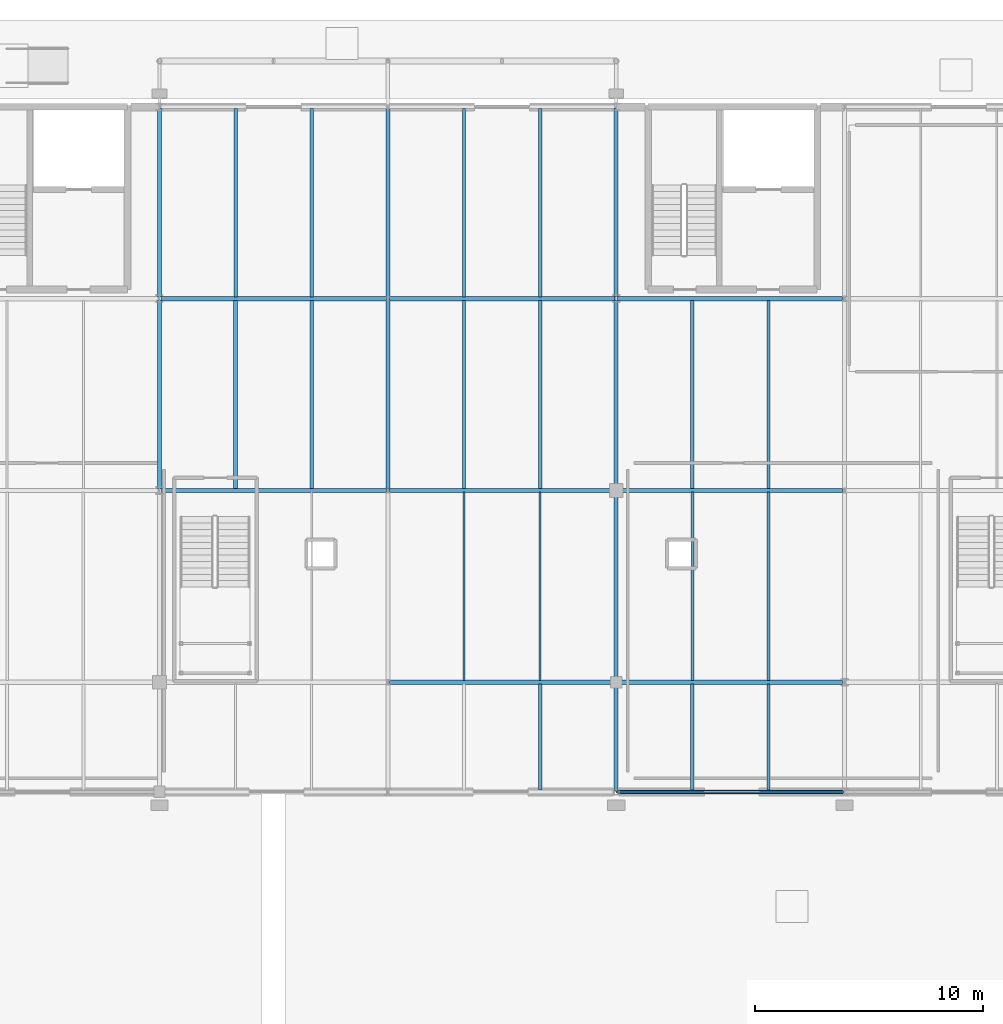
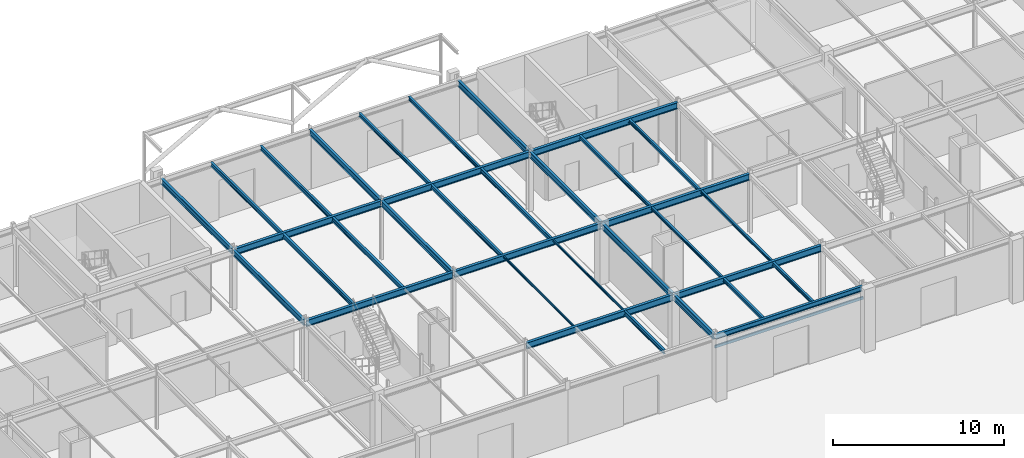
# One storey, part 63 of 119: 35 beams.
"""IFC4 building model written with IfcOpenShell, lengths in metres."""

from ifc_helpers import new_model, si_unit, derived_unit, direction, frame, origin, origin_2d_with_axis, place, context, subcontext, project, spatial, hollow_rectangle, i_section, extrude, material, material_profile, profile_set, type_object, element, save


model = new_model("IFC4")

# Units and contexts
model_context = context("Model", 3, precision=1e-05, world=origin(), true_north=direction((0.0, 1.0)))
body_context = subcontext(model_context, "Body", "Model", "MODEL_VIEW")
ifc_project = project(units=[si_unit("LENGTHUNIT", "METRE"), si_unit("AREAUNIT", "SQUARE_METRE"), si_unit("VOLUMEUNIT", "CUBIC_METRE"), si_unit("PLANEANGLEUNIT", "RADIAN"), si_unit("MASSUNIT", "GRAM", prefix="KILO"), derived_unit("THERMALTRANSMITTANCEUNIT", [(si_unit("POWERUNIT", "WATT"), 1), (si_unit("LENGTHUNIT", "METRE"), -2), (si_unit("THERMODYNAMICTEMPERATUREUNIT", "KELVIN"), -1)])], contexts=[model_context])

# Site, building, storey
site_placement = place(None, origin())
site = spatial("IfcSite", under=ifc_project, at=site_placement, CompositionType="ELEMENT")
building_placement = place(site_placement, origin())
building = spatial("IfcBuilding", under=site, at=building_placement, Name="Cinnabar Yard Market Hall", CompositionType="ELEMENT")
storey_placement = place(building_placement, origin())
storey = spatial("IfcBuildingStorey", under=building, at=storey_placement, Name="L00", CompositionType="ELEMENT", Elevation=0.0)

# Beams
ifc_material_1 = material(Name="Steel Grade 300 (300 MPa)", Category="steel")
ifc_material_profile_1 = material_profile(ifc_material_1, i_section(OverallWidth=0.18994140625, OverallDepth=0.453857421875, WebThickness=0.008544921875, FlangeThickness=0.0126953125, FilletRadius=0.011474609375, at=origin_2d_with_axis()), Name="460UB67.1")
ifc_profile_set_1 = profile_set([ifc_material_profile_1], Name="Steel Grade 300 (300 MPa)")
beam_type_1 = type_object("IfcBeamType", Name="BM-B05", PredefinedType="BEAM", material=ifc_profile_set_1)
for number, where, z_axis, x_axis, name in (
    (1, (106.06005859375, 121.199951171875, 4.01318359375), (1.0, 0.0, 0.0), (0.0, 1.0, 0.0), "V3 L00 Girder X 00881"),
    (2, (106.06005859375, 129.60009765625, 4.01318359375), (1.0, 0.0, 0.0), (0.0, 1.0, 0.0), "V3 L00 Girder X 00882"),
    (3, (116.06005859375, 112.800048828125, 4.01318359375), (1.0, 0.0, 0.0), (0.0, 1.0, 0.0), "V3 L00 Girder X 00885"),
    (4, (116.06005859375, 121.199951171875, 4.01318359375), (1.0, 0.0, 0.0), (0.0, 1.0, 0.0), "V3 L00 Girder X 00886"),
    (5, (116.06005859375, 129.60009765625, 4.01318359375), (1.0, 0.0, 0.0), (0.0, 1.0, 0.0), "V3 L00 Girder X 00887"),
    (6, (126.06005859375, 112.800048828125, 4.01318359375), (1.0, 0.0, 0.0), (0.0, 1.0, 0.0), "V3 L00 Girder X 00890"),
    (7, (126.06005859375, 121.199951171875, 4.01318359375), (1.0, 0.0, 0.0), (0.0, 1.0, 0.0), "V3 L00 Girder X 00891"),
    (8, (126.06005859375, 129.60009765625, 4.01318359375), (1.0, 0.0, 0.0), (0.0, 1.0, 0.0), "V3 L00 Girder X 00892"),
):
    element("IfcBeam", number, at=place(storey_placement, frame(where, z_axis=z_axis, x_axis=x_axis)), inside=storey, type_object=beam_type_1, Name=name, PredefinedType="BEAM", context=body_context, shape_type="SweptSolid", body=[
        extrude(i_section(OverallWidth=0.18994140625, OverallDepth=0.453857421875, WebThickness=0.008544921875, FlangeThickness=0.0126953125, FilletRadius=0.011474609375, at=origin_2d_with_axis()), origin(), (0.0, 0.0, 1.0), 9.8798828125),
    ])
ifc_material_profile_2 = material_profile(ifc_material_1, i_section(OverallWidth=0.177978515625, OverallDepth=0.406494140625, WebThickness=0.0078125, FlangeThickness=0.0126953125, FilletRadius=0.011474609375, at=origin_2d_with_axis()), Name="410UB59.7")
ifc_profile_set_2 = profile_set([ifc_material_profile_2], Name="Steel Grade 300 (300 MPa)")
beam_type_2 = type_object("IfcBeamType", Name="BM-B06", PredefinedType="BEAM", material=ifc_profile_set_2)
for number, where, z_axis, x_axis, name in (
    (9, (106.0, 121.260009765625, 4.036865234375), (0.0, 1.0, 0.0), (-1.0, 0.0, 0.0), "V3 L00 Girder Y 00927"),
    (10, (106.0, 129.659912109375, 4.036865234375), (0.0, 1.0, 0.0), (-1.0, 0.0, 0.0), "V3 L00 Girder Y 00928"),
    (11, (116.0, 121.260009765625, 4.036865234375), (0.0, 1.0, 0.0), (-1.0, 0.0, 0.0), "V3 L00 Girder Y 00931"),
    (12, (116.0, 129.659912109375, 4.036865234375), (0.0, 1.0, 0.0), (-1.0, 0.0, 0.0), "V3 L00 Girder Y 00932"),
):
    element("IfcBeam", number, at=place(storey_placement, frame(where, z_axis=z_axis, x_axis=x_axis)), inside=storey, type_object=beam_type_2, Name=name, PredefinedType="BEAM", context=body_context, shape_type="SweptSolid", body=[
        extrude(i_section(OverallWidth=0.177978515625, OverallDepth=0.406494140625, WebThickness=0.0078125, FlangeThickness=0.0126953125, FilletRadius=0.011474609375, at=origin_2d_with_axis()), origin(), (0.0, 0.0, 1.0), 8.280029296875),
    ])
beam_1_placement = place(storey_placement, frame((126.0, 108.06005859375, 4.036865234375), z_axis=(0.0, 1.0, 0.0), x_axis=(-1.0, 0.0, 0.0)))
element("IfcBeam", 13, at=beam_1_placement, inside=storey, type_object=beam_type_2, Name="V3 L00 Girder Y 00933", PredefinedType="BEAM", context=body_context, shape_type="SweptSolid", body=[
    extrude(i_section(OverallWidth=0.177978515625, OverallDepth=0.406494140625, WebThickness=0.0078125, FlangeThickness=0.0126953125, FilletRadius=0.011474609375, at=origin_2d_with_axis()), origin(), (0.0, 0.0, 1.0), 4.679931640625),
])
beam_2_placement = place(storey_placement, frame((126.0, 112.860107421875, 4.036865234375), z_axis=(0.0, 1.0, 0.0), x_axis=(-1.0, 0.0, 0.0)))
element("IfcBeam", 14, at=beam_2_placement, inside=storey, type_object=beam_type_2, Name="V3 L00 Girder Y 00934", PredefinedType="BEAM", context=body_context, shape_type="SweptSolid", body=[
    extrude(i_section(OverallWidth=0.177978515625, OverallDepth=0.406494140625, WebThickness=0.0078125, FlangeThickness=0.0126953125, FilletRadius=0.011474609375, at=origin_2d_with_axis()), origin(), (0.0, 0.0, 1.0), 8.27978515625),
])
for number, where, z_axis, x_axis, name in (
    (15, (126.0, 121.260009765625, 4.036865234375), (0.0, 1.0, 0.0), (-1.0, 0.0, 0.0), "V3 L00 Girder Y 00935"),
    (16, (126.0, 129.659912109375, 4.036865234375), (0.0, 1.0, 0.0), (-1.0, 0.0, 0.0), "V3 L00 Girder Y 00936"),
):
    element("IfcBeam", number, at=place(storey_placement, frame(where, z_axis=z_axis, x_axis=x_axis)), inside=storey, type_object=beam_type_2, Name=name, PredefinedType="BEAM", context=body_context, shape_type="SweptSolid", body=[
        extrude(i_section(OverallWidth=0.177978515625, OverallDepth=0.406494140625, WebThickness=0.0078125, FlangeThickness=0.0126953125, FilletRadius=0.011474609375, at=origin_2d_with_axis()), origin(), (0.0, 0.0, 1.0), 8.280029296875),
    ])
ifc_material_profile_3 = material_profile(ifc_material_1, i_section(OverallWidth=0.14892578125, OverallDepth=0.298095703125, WebThickness=0.005615234375, FlangeThickness=0.008056640625, FilletRadius=0.0087890625, at=origin_2d_with_axis()), Name="310UB32.0")
ifc_profile_set_3 = profile_set([ifc_material_profile_3], Name="Steel Grade 300 (300 MPa)")
beam_type_3 = type_object("IfcBeamType", Name="BM-J02", PredefinedType="JOIST", material=ifc_profile_set_3)
for number, where, z_axis, x_axis, name in (
    (17, (119.333251953125, 121.27490234375, 4.091064453125), (0.0, 1.0, 0.0), (-1.0, 0.0, 0.0), "V3 L00 Joist 00992"),
    (18, (122.666748046875, 121.27490234375, 4.091064453125), (0.0, 1.0, 0.0), (-1.0, 0.0, 0.0), "V3 L00 Joist 00996"),
):
    element("IfcBeam", number, at=place(storey_placement, frame(where, z_axis=z_axis, x_axis=x_axis)), inside=storey, type_object=beam_type_3, Name=name, PredefinedType="JOIST", context=body_context, shape_type="SweptSolid", body=[
        extrude(i_section(OverallWidth=0.14892578125, OverallDepth=0.298095703125, WebThickness=0.005615234375, FlangeThickness=0.008056640625, FilletRadius=0.0087890625, at=origin_2d_with_axis()), origin(), (0.0, 0.0, 1.0), 8.25),
    ])
ifc_material_profile_4 = material_profile(ifc_material_1, i_section(OverallWidth=0.14599609375, OverallDepth=0.256103515625, WebThickness=0.00634765625, FlangeThickness=0.010986328125, FilletRadius=0.0087890625, at=origin_2d_with_axis()), Name="250UB37.3")
ifc_profile_set_4 = profile_set([ifc_material_profile_4], Name="Steel Grade 300 (300 MPa)")
beam_type_4 = type_object("IfcBeamType", Name="BM-J03", PredefinedType="JOIST", material=ifc_profile_set_4)
for number, where, z_axis, x_axis, name in (
    (19, (119.333251953125, 129.675048828125, 4.11181640625), (0.0, 1.0, 0.0), (-1.0, 0.0, 0.0), "V3 L00 Joist 00993"),
    (20, (122.666748046875, 129.675048828125, 4.11181640625), (0.0, 1.0, 0.0), (-1.0, 0.0, 0.0), "V3 L00 Joist 00997"),
):
    element("IfcBeam", number, at=place(storey_placement, frame(where, z_axis=z_axis, x_axis=x_axis)), inside=storey, type_object=beam_type_4, Name=name, PredefinedType="JOIST", context=body_context, shape_type="SweptSolid", body=[
        extrude(i_section(OverallWidth=0.14599609375, OverallDepth=0.256103515625, WebThickness=0.00634765625, FlangeThickness=0.010986328125, FilletRadius=0.0087890625, at=origin_2d_with_axis()), origin(), (0.0, 0.0, 1.0), 8.25),
    ])
for number, where, z_axis, x_axis, name in (
    (21, (129.333251953125, 108.074951171875, 4.11181640625), (0.0, 1.0, 0.0), (-1.0, 0.0, 0.0), "V3 L00 Joist 00998"),
    (22, (132.666748046875, 108.074951171875, 4.11181640625), (0.0, 1.0, 0.0), (-1.0, 0.0, 0.0), "V3 L00 Joist 01001"),
):
    element("IfcBeam", number, at=place(storey_placement, frame(where, z_axis=z_axis, x_axis=x_axis)), inside=storey, type_object=beam_type_4, Name=name, PredefinedType="JOIST", context=body_context, shape_type="SweptSolid", body=[
        extrude(i_section(OverallWidth=0.14599609375, OverallDepth=0.256103515625, WebThickness=0.00634765625, FlangeThickness=0.010986328125, FilletRadius=0.0087890625, at=origin_2d_with_axis()), origin(), (0.0, 0.0, 1.0), 4.650146484375),
    ])
ifc_material_profile_5 = material_profile(ifc_material_1, i_section(OverallWidth=0.134033203125, OverallDepth=0.20703125, WebThickness=0.00634765625, FlangeThickness=0.009521484375, FilletRadius=0.0087890625, at=origin_2d_with_axis()), Name="200UB29.8")
ifc_profile_set_5 = profile_set([ifc_material_profile_5], Name="Steel Grade 300 (300 MPa)")
beam_type_5 = type_object("IfcBeamType", Name="BM-J04", PredefinedType="JOIST", material=ifc_profile_set_5)
for number, where, z_axis, x_axis, name in (
    (23, (129.333251953125, 112.875, 4.136474609375), (0.0, 1.0, 0.0), (-1.0, 0.0, 0.0), "V3 L00 Joist 00999"),
    (24, (132.666748046875, 112.875, 4.136474609375), (0.0, 1.0, 0.0), (-1.0, 0.0, 0.0), "V3 L00 Joist 01002"),
):
    element("IfcBeam", number, at=place(storey_placement, frame(where, z_axis=z_axis, x_axis=x_axis)), inside=storey, type_object=beam_type_5, Name=name, PredefinedType="JOIST", context=body_context, shape_type="SweptSolid", body=[
        extrude(i_section(OverallWidth=0.134033203125, OverallDepth=0.20703125, WebThickness=0.00634765625, FlangeThickness=0.009521484375, FilletRadius=0.0087890625, at=origin_2d_with_axis()), origin(), (0.0, 0.0, 1.0), 8.25),
    ])
ifc_material_profile_6 = material_profile(ifc_material_1, i_section(OverallWidth=0.14599609375, OverallDepth=0.251708984375, WebThickness=0.006103515625, FlangeThickness=0.008544921875, FilletRadius=0.0087890625, at=origin_2d_with_axis()), Name="250UB31.4")
ifc_profile_set_6 = profile_set([ifc_material_profile_6], Name="Steel Grade 300 (300 MPa)")
beam_type_6 = type_object("IfcBeamType", Name="BM-J05", PredefinedType="JOIST", material=ifc_profile_set_6)
for number, where, z_axis, x_axis, name in (
    (25, (129.333251953125, 121.27490234375, 4.1142578125), (0.0, 1.0, 0.0), (-1.0, 0.0, 0.0), "V3 L00 Joist 01000"),
    (26, (132.666748046875, 121.27490234375, 4.1142578125), (0.0, 1.0, 0.0), (-1.0, 0.0, 0.0), "V3 L00 Joist 01003"),
):
    element("IfcBeam", number, at=place(storey_placement, frame(where, z_axis=z_axis, x_axis=x_axis)), inside=storey, type_object=beam_type_6, Name=name, PredefinedType="JOIST", context=body_context, shape_type="SweptSolid", body=[
        extrude(i_section(OverallWidth=0.14599609375, OverallDepth=0.251708984375, WebThickness=0.006103515625, FlangeThickness=0.008544921875, FilletRadius=0.0087890625, at=origin_2d_with_axis()), origin(), (0.0, 0.0, 1.0), 8.25),
    ])
ifc_material_profile_7 = material_profile(ifc_material_1, i_section(OverallWidth=0.1650390625, OverallDepth=0.303955078125, WebThickness=0.006103515625, FlangeThickness=0.01025390625, FilletRadius=0.011474609375, at=origin_2d_with_axis()), Name="310UB40.4")
ifc_profile_set_7 = profile_set([ifc_material_profile_7], Name="Steel Grade 300 (300 MPa)")
beam_type_7 = type_object("IfcBeamType", Name="BM-J16", PredefinedType="JOIST", material=ifc_profile_set_7)
for number, where, z_axis, x_axis, name in (
    (27, (109.333251953125, 121.27490234375, 4.087890625), (0.0, 1.0, 0.0), (-1.0, 0.0, 0.0), "V3 L00 Joist 00984"),
    (28, (112.666748046875, 121.27490234375, 4.087890625), (0.0, 1.0, 0.0), (-1.0, 0.0, 0.0), "V3 L00 Joist 00988"),
):
    element("IfcBeam", number, at=place(storey_placement, frame(where, z_axis=z_axis, x_axis=x_axis)), inside=storey, type_object=beam_type_7, Name=name, PredefinedType="JOIST", context=body_context, shape_type="SweptSolid", body=[
        extrude(i_section(OverallWidth=0.1650390625, OverallDepth=0.303955078125, WebThickness=0.006103515625, FlangeThickness=0.01025390625, FilletRadius=0.011474609375, at=origin_2d_with_axis()), origin(), (0.0, 0.0, 1.0), 8.25),
    ])
ifc_material_profile_8 = material_profile(ifc_material_1, i_section(OverallWidth=0.14892578125, OverallDepth=0.298095703125, WebThickness=0.005615234375, FlangeThickness=0.008056640625, FilletRadius=0.0087890625, at=origin_2d_with_axis()), Name="310UB32.0")
ifc_profile_set_8 = profile_set([ifc_material_profile_8], Name="Steel Grade 300 (300 MPa)")
beam_type_8 = type_object("IfcBeamType", Name="BM-J17", PredefinedType="JOIST", material=ifc_profile_set_8)
for number, where, z_axis, x_axis, name in (
    (29, (109.333251953125, 129.675048828125, 4.091064453125), (0.0, 1.0, 0.0), (-1.0, 0.0, 0.0), "V3 L00 Joist 00985"),
    (30, (112.666748046875, 129.675048828125, 4.091064453125), (0.0, 1.0, 0.0), (-1.0, 0.0, 0.0), "V3 L00 Joist 00989"),
):
    element("IfcBeam", number, at=place(storey_placement, frame(where, z_axis=z_axis, x_axis=x_axis)), inside=storey, type_object=beam_type_8, Name=name, PredefinedType="JOIST", context=body_context, shape_type="SweptSolid", body=[
        extrude(i_section(OverallWidth=0.14892578125, OverallDepth=0.298095703125, WebThickness=0.005615234375, FlangeThickness=0.008056640625, FilletRadius=0.0087890625, at=origin_2d_with_axis()), origin(), (0.0, 0.0, 1.0), 8.25),
    ])
beam_3_placement = place(storey_placement, frame((122.666748046875, 108.074951171875, 4.091064453125), z_axis=(0.0, 1.0, 0.0), x_axis=(-1.0, 0.0, 0.0)))
element("IfcBeam", 31, at=beam_3_placement, inside=storey, type_object=beam_type_8, Name="V3 L00 Joist 00994", PredefinedType="JOIST", context=body_context, shape_type="SweptSolid", body=[
    extrude(i_section(OverallWidth=0.14892578125, OverallDepth=0.298095703125, WebThickness=0.005615234375, FlangeThickness=0.008056640625, FilletRadius=0.0087890625, at=origin_2d_with_axis()), origin(), (0.0, 0.0, 1.0), 4.650146484375),
])
ifc_material_profile_9 = material_profile(ifc_material_1, i_section(OverallWidth=0.074951171875, OverallDepth=0.155029296875, WebThickness=0.006103515625, FlangeThickness=0.009521484375, FilletRadius=0.008056640625, at=origin_2d_with_axis()), Name="150UB18.0")
ifc_profile_set_9 = profile_set([ifc_material_profile_9], Name="Steel Grade 300 (300 MPa)")
beam_type_9 = type_object("IfcBeamType", Name="BM-J18", PredefinedType="JOIST", material=ifc_profile_set_9)
for number, where, z_axis, x_axis, name in (
    (32, (119.333251953125, 112.875, 4.16259765625), (0.0, 1.0, 0.0), (-1.0, 0.0, 0.0), "V3 L00 Joist 00991"),
    (33, (122.666748046875, 112.875, 4.16259765625), (0.0, 1.0, 0.0), (-1.0, 0.0, 0.0), "V3 L00 Joist 00995"),
):
    element("IfcBeam", number, at=place(storey_placement, frame(where, z_axis=z_axis, x_axis=x_axis)), inside=storey, type_object=beam_type_9, Name=name, PredefinedType="JOIST", context=body_context, shape_type="SweptSolid", body=[
        extrude(i_section(OverallWidth=0.074951171875, OverallDepth=0.155029296875, WebThickness=0.006103515625, FlangeThickness=0.009521484375, FilletRadius=0.008056640625, at=origin_2d_with_axis()), origin(), (0.0, 0.0, 1.0), 8.25),
    ])
ifc_material_2 = material(Name="Cold-formed steel C350L0", Category="steel")
ifc_material_profile_10 = material_profile(ifc_material_2, hollow_rectangle(XDim=0.10009765625, YDim=0.199951171875, WallThickness=0.006103515625, InnerFilletRadius=0.006103515625, OuterFilletRadius=0.011962890625, at=origin_2d_with_axis()), Name="200x100x6.0RHS")
ifc_profile_set_10 = profile_set([ifc_material_profile_10], Name="Cold-formed steel C350L0")
beam_type_10 = type_object("IfcBeamType", Name="BM-LN01E", PredefinedType="LINTEL", material=ifc_profile_set_10)
beam_4_placement = place(storey_placement, frame((126.0, 108.0, 3.35009765625), z_axis=(1.0, 0.0, 0.0), x_axis=(0.0, 1.0, 0.0)))
element("IfcBeam", 34, at=beam_4_placement, inside=storey, type_object=beam_type_10, Name="Portal Transom Lintel 5 01590", PredefinedType="LINTEL", context=body_context, shape_type="SweptSolid", body=[
    extrude(hollow_rectangle(XDim=0.10009765625, YDim=0.199951171875, WallThickness=0.006103515625, InnerFilletRadius=0.006103515625, OuterFilletRadius=0.011962890625, at=origin_2d_with_axis()), origin(), (0.0, 0.0, 1.0), 10.0),
])
ifc_material_profile_11 = material_profile(ifc_material_1, i_section(OverallWidth=0.172119140625, OverallDepth=0.358642578125, WebThickness=0.008056640625, FlangeThickness=0.012939453125, FilletRadius=0.011474609375, at=origin_2d_with_axis()), Name="360UB56.7")
ifc_profile_set_11 = profile_set([ifc_material_profile_11], Name="Steel Grade 300 (300 MPa)")
beam_type_11 = type_object("IfcBeamType", Name="BM-SP02E", PredefinedType="SPANDREL", material=ifc_profile_set_11)
beam_5_placement = place(storey_placement, frame((126.06005859375, 108.0, 4.060791015625), z_axis=(1.0, 0.0, 0.0), x_axis=(0.0, 1.0, 0.0)))
element("IfcBeam", 35, at=beam_5_placement, inside=storey, type_object=beam_type_11, Name="V3 L00 Girder X 00889", PredefinedType="SPANDREL", context=body_context, shape_type="SweptSolid", body=[
    extrude(i_section(OverallWidth=0.172119140625, OverallDepth=0.358642578125, WebThickness=0.008056640625, FlangeThickness=0.012939453125, FilletRadius=0.011474609375, at=origin_2d_with_axis()), origin(), (0.0, 0.0, 1.0), 9.8798828125),
])

save(model, "model.ifc")
